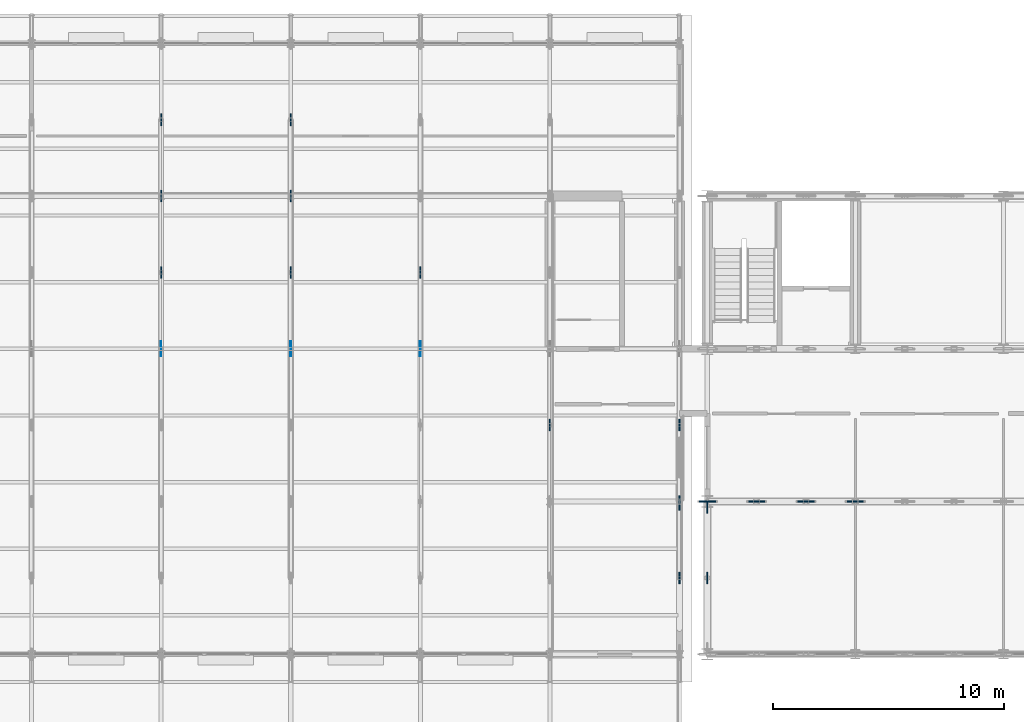
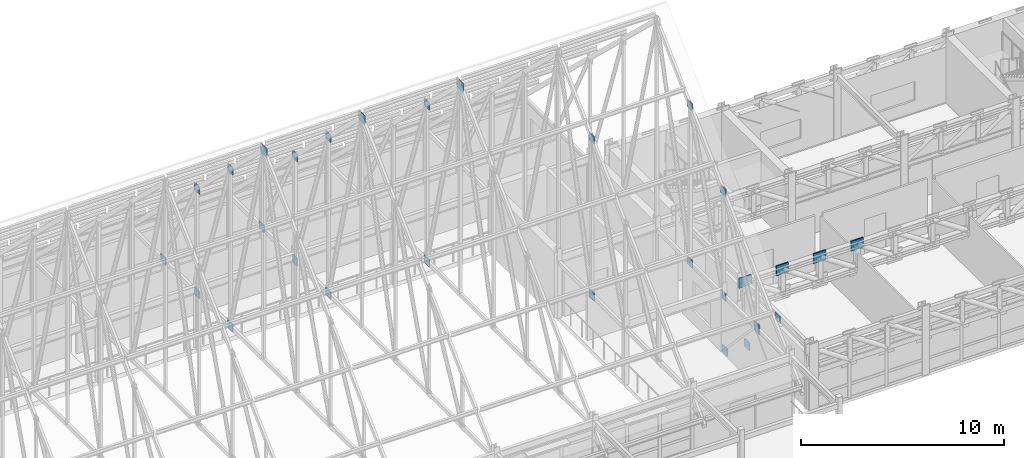
# One storey, part 110 of 144: 30 plates.
"""IFC4 building model written with IfcOpenShell, lengths in metres."""

import ifcopenshell
import ifcopenshell.guid

model = None  # the IFC model being written
_history = None  # IfcOwnerHistory: only IFC2X3 demands one
_inside = {}  # id of a spatial element -> (the spatial element, [elements in it])
_under = {}  # id of a project, library or spatial element -> (it, [spatial elements below it])
_declared = {}  # id of a project -> (the project, [libraries it declares])
_typed = {}  # id of a type object -> (the type object, [elements of that type])
_made_of = {}  # id of a material, layer set ... -> (it, [elements and type objects made of it])


def new_model(schema):
    """Start an empty IFC model of exactly this schema.

    Asked for "IFC4X3", IfcOpenShell would pick the latest addendum, in which some entities
    have other attributes; the version numbers below select the first issue.
    IFC2X3 requires an IfcOwnerHistory on every rooted entity: one is made here for all.
    """
    global model, _history
    if schema == "IFC4X3":
        model = ifcopenshell.file(schema_version=(4, 3, 0, 0))
    else:
        model = ifcopenshell.file(schema=schema)
    _inside.clear()
    _under.clear()
    _declared.clear()
    _typed.clear()
    _made_of.clear()
    _history = None
    if model.schema == "IFC2X3":
        org = make("IfcOrganization", Name="unknown")
        user = make(
            "IfcPersonAndOrganization",
            ThePerson=make("IfcPerson", FamilyName="unknown"),
            TheOrganization=org,
        )
        app = make(
            "IfcApplication",
            ApplicationDeveloper=org,
            Version="unknown",
            ApplicationFullName="unknown",
            ApplicationIdentifier="unknown",
        )
        _history = make(
            "IfcOwnerHistory",
            OwningUser=user,
            OwningApplication=app,
            ChangeAction="ADDED",
            CreationDate=0,
        )
    return model


def make(cls, **values):
    """One entity of the class cls with the attributes given. An attribute that is None is left unset."""
    return model.create_entity(
        cls, **{name: value for name, value in values.items() if value is not None}
    )


def rooted(cls, **values):
    """An entity with a GlobalId (a new one), such as an element, a storey or a relation."""
    return make(cls, GlobalId=ifcopenshell.guid.new(), OwnerHistory=_history, **values)


def si_unit(unit_type, name, prefix=None):
    """IfcSIUnit, for example si_unit("LENGTHUNIT", "METRE", prefix="MILLI")."""
    return make("IfcSIUnit", UnitType=unit_type, Prefix=prefix, Name=name)


def assignment(units):
    """IfcUnitAssignment: the units of a project."""
    return None if units is None else make("IfcUnitAssignment", Units=units)


def point(xyz):
    """IfcCartesianPoint."""
    return None if xyz is None else make("IfcCartesianPoint", Coordinates=xyz)


def direction(xyz):
    """IfcDirection."""
    return None if xyz is None else make("IfcDirection", DirectionRatios=xyz)


def frame(location, z_axis=None, x_axis=None):
    """IfcAxis2Placement3D, a coordinate frame: its origin and axes. An axis left out is left unset."""
    return make(
        "IfcAxis2Placement3D",
        Location=point(location),
        Axis=direction(z_axis),
        RefDirection=direction(x_axis),
    )


def frame_2d(location, x_axis=None):
    """IfcAxis2Placement2D, a coordinate frame in the plane: its origin and x axis."""
    return make(
        "IfcAxis2Placement2D", Location=point(location), RefDirection=direction(x_axis)
    )


def origin():
    """The frame at (0, 0, 0) with its axes left unset."""
    return frame((0.0, 0.0, 0.0))


def origin_2d():
    """The frame at (0, 0) in the plane with its x axis left unset."""
    return frame_2d((0.0, 0.0))


def place(relative_to, where):
    """IfcLocalPlacement: puts the frame where relative to a parent placement (None: the world)."""
    return make(
        "IfcLocalPlacement", PlacementRelTo=relative_to, RelativePlacement=where
    )


def context(
    kind, dimensions, precision=None, world=None, true_north=None, identifier=None
):
    """IfcGeometricRepresentationContext, for example the 3D "Model" context."""
    return make(
        "IfcGeometricRepresentationContext",
        ContextIdentifier=identifier,
        ContextType=kind,
        CoordinateSpaceDimension=dimensions,
        Precision=precision,
        WorldCoordinateSystem=world,
        TrueNorth=true_north,
    )


def subcontext(parent, identifier, kind, view, scale=None):
    """IfcGeometricRepresentationSubContext, for example "Body" below "Model"."""
    return make(
        "IfcGeometricRepresentationSubContext",
        ContextIdentifier=identifier,
        ContextType=kind,
        ParentContext=parent,
        TargetScale=scale,
        TargetView=view,
    )


def project(units=None, contexts=None):
    """IfcProject with its units and contexts."""
    return rooted(
        "IfcProject",
        Name="project",
        RepresentationContexts=contexts,
        UnitsInContext=assignment(units),
    )


def spatial(cls, under=None, at=None, **own):
    """A site, building, storey or space (cls), placed at a placement, below another one or the project."""
    s = rooted(cls, ObjectPlacement=at, **own)
    if under is not None:
        _under.setdefault(under.id(), (under, []))[1].append(s)
    return s


def profile(cls, at=None, kind="AREA", **sizes):
    """A parametric profile (cls). Its sizes go by their IFC names, for example OverallWidth=200.0."""
    return make(cls, ProfileType=kind, Position=at, **sizes)


def rectangle(**sizes):
    """IfcRectangleProfileDef."""
    return profile("IfcRectangleProfileDef", **sizes)


def extrude(swept, where, along, depth):
    """IfcExtrudedAreaSolid: the profile swept, set in the frame where, extruded along a direction by depth."""
    return make(
        "IfcExtrudedAreaSolid",
        SweptArea=swept,
        Position=where,
        ExtrudedDirection=direction(along),
        Depth=depth,
    )


def shape(context_of_items, identifier, shape_type, items):
    """IfcShapeRepresentation: the items that make up one representation, for example the "Body"."""
    return make(
        "IfcShapeRepresentation",
        ContextOfItems=context_of_items,
        RepresentationIdentifier=identifier,
        RepresentationType=shape_type,
        Items=items,
    )


def material(Name=None, Category=None):
    """IfcMaterial."""
    return make("IfcMaterial", Name=Name, Category=Category)


def layer(
    of_material, thickness, ventilated=None, Name=None, Category=None, Priority=None
):
    """IfcMaterialLayer: one layer of a wall or slab, of a material (None: an air gap)."""
    return make(
        "IfcMaterialLayer",
        Material=of_material,
        LayerThickness=thickness,
        IsVentilated=ventilated,
        Name=Name,
        Category=Category,
        Priority=Priority,
    )


def layer_set(layers, Name=None):
    """IfcMaterialLayerSet."""
    return make("IfcMaterialLayerSet", MaterialLayers=layers, LayerSetName=Name)


def made_of(thing, what):
    """Note that an element or type object is made of a material, layer set ...; save() writes the relation."""
    if what is not None:
        _made_of.setdefault(what.id(), (what, []))[1].append(thing)
    return thing


def type_object(cls, material=None, **own):
    """A type object (cls), such as IfcWallType, which elements share."""
    return made_of(rooted(cls, **own), material)


def element(
    cls,
    number,
    at=None,
    inside=None,
    cuts=None,
    type_object=None,
    material=None,
    context=None,
    identifier="Body",
    shape_type=None,
    held_by="IfcProductDefinitionShape",
    body=None,
    shapes=None,
    **own,
):
    """One element of the class cls, such as IfcWall. Its Tag is "e" and its number.

    at: its placement. inside: the storey or other place that contains it. cuts: it is an
    opening in that element (IfcRelVoidsElement). A single representation is given by context,
    identifier, shape_type and body (its items); several are given by shapes. held_by: the class
    of the entity that holds the representations. save() writes the other relations.
    """
    e = rooted(cls, Tag="e%d" % number, ObjectPlacement=at, **own)
    if body is not None:
        shapes = [shape(context, identifier, shape_type, body)]
    if shapes is not None:
        e.Representation = make(held_by, Representations=shapes)
    if inside is not None:
        _inside.setdefault(inside.id(), (inside, []))[1].append(e)
    if cuts is not None:
        rooted(
            "IfcRelVoidsElement", RelatingBuildingElement=cuts, RelatedOpeningElement=e
        )
    if type_object is not None:
        _typed.setdefault(type_object.id(), (type_object, []))[1].append(e)
    return made_of(e, material)


def aggregate(whole, parts):
    """IfcRelAggregates: a whole, such as a stair, and the parts it consists of."""
    return rooted("IfcRelAggregates", RelatingObject=whole, RelatedObjects=parts)


def save(model, path):
    """Write the relations noted so far, then the file.

    IfcRelAggregates (storeys below a building ...), IfcRelContainedInSpatialStructure (elements
    in a storey), IfcRelDefinesByType, IfcRelAssociatesMaterial and IfcRelDeclares: one each for
    every whole, place, type object, material and project.
    """
    for whole, parts in _under.values():
        aggregate(whole, parts)
    for where, things in _inside.values():
        rooted(
            "IfcRelContainedInSpatialStructure",
            RelatedElements=things,
            RelatingStructure=where,
        )
    for kind, things in _typed.values():
        rooted("IfcRelDefinesByType", RelatedObjects=things, RelatingType=kind)
    for what, things in _made_of.values():
        rooted("IfcRelAssociatesMaterial", RelatedObjects=things, RelatingMaterial=what)
    for by, libraries in _declared.values():
        rooted("IfcRelDeclares", RelatingContext=by, RelatedDefinitions=libraries)
    model.write(path)


model = new_model("IFC4")

# Units and contexts
model_context = context("Model", 3, precision=1e-05, world=origin(), true_north=direction((0.0, 1.0)))
body_context = subcontext(model_context, "Body", "Model", "MODEL_VIEW")
ifc_project = project(units=[si_unit("LENGTHUNIT", "METRE"), si_unit("AREAUNIT", "SQUARE_METRE"), si_unit("VOLUMEUNIT", "CUBIC_METRE"), si_unit("PLANEANGLEUNIT", "RADIAN"), si_unit("MASSUNIT", "GRAM", prefix="KILO")], contexts=[model_context])

# Site, building, storey
site_placement = place(None, origin())
site = spatial("IfcSite", under=ifc_project, at=site_placement, CompositionType="ELEMENT")
building_placement = place(site_placement, origin())
building = spatial("IfcBuilding", under=site, at=building_placement, Name="Trelmorton Wharf Fire Station", CompositionType="ELEMENT")
storey_placement = place(building_placement, frame((0.0, 0.0, 5.39990234375)))
storey = spatial("IfcBuildingStorey", under=building, at=storey_placement, Name="L01", CompositionType="ELEMENT", Elevation=5.39990234375)

# Plates
ifc_material = material(Name="Steel Grade 350", Category="steel")
ifc_layer_1 = layer(ifc_material, 0.070068359375)
ifc_layer_set_1 = layer_set([ifc_layer_1], Name="Steel Grade 350")
plate_type_1 = type_object("IfcPlateType", Name="PL_GUSSET_KTN2", PredefinedType="USERDEFINED", material=ifc_layer_set_1)
for number, where, z_axis, x_axis, name in (
    (1, (58.011962890625, 14.39990234375, 3.47998046875), (0.0, 0.0, 1.0), (1.0, 0.0, 0.0), "PL-KTN-0028"),
    (2, (60.13330078125, 14.39990234375, 3.47998046875), (0.0, 0.0, 1.0), (1.0, 0.0, 0.0), "PL-KTN-0030"),
    (3, (62.2666015625, 14.39990234375, 3.47998046875), (0.0, 0.0, 1.0), (1.0, 0.0, 0.0), "PL-KTN-0032"),
    (4, (64.39990234375, 14.39990234375, 3.47998046875), (0.0, 0.0, 1.0), (1.0, 0.0, 0.0), "PL-KTN-0034"),
):
    element("IfcPlate", number, at=place(storey_placement, frame(where, z_axis=z_axis, x_axis=x_axis)), inside=storey, type_object=plate_type_1, Name=name, ObjectType="GUSSET PLATE", PredefinedType="USERDEFINED", context=body_context, shape_type="SweptSolid", body=[
        extrude(rectangle(XDim=0.699951171875, YDim=0.070068359375, at=origin_2d()), origin(), (0.0, 0.0, 1.0), 0.60009765625),
    ])
ifc_layer_2 = layer(ifc_material, 0.030029296875)
ifc_layer_set_2 = layer_set([ifc_layer_2], Name="Steel Grade 350")
plate_type_2 = type_object("IfcPlateType", Name="PL_GUSSET_TN1", PredefinedType="USERDEFINED", material=ifc_layer_set_2)
for number, where, z_axis, x_axis, name in (
    (5, (34.39990234375, 21.0, 15.6767578125), (0.0, 0.0, 1.0), (1.0, 0.0, 0.0), "PL-TN-0185"),
    (6, (40.0, 21.0, 15.6767578125), (0.0, 0.0, 1.0), (1.0, 0.0, 0.0), "PL-TN-0198"),
    (7, (45.60009765625, 21.0, 15.6767578125), (0.0, 0.0, 1.0), (1.0, 0.0, 0.0), "PL-TN-0211"),
):
    element("IfcPlate", number, at=place(storey_placement, frame(where, z_axis=z_axis, x_axis=x_axis)), inside=storey, type_object=plate_type_2, Name=name, ObjectType="GUSSET PLATE", PredefinedType="USERDEFINED", context=body_context, shape_type="SweptSolid", body=[
        extrude(rectangle(XDim=0.030029296875, YDim=0.64990234375, at=origin_2d()), origin(), (0.0, 0.0, 1.0), 0.550048828125),
    ])
ifc_layer_3 = layer(ifc_material, 0.050048828125)
ifc_layer_set_3 = layer_set([ifc_layer_3], Name="Steel Grade 350")
plate_type_3 = type_object("IfcPlateType", Name="PL_GUSSET_TN2", PredefinedType="USERDEFINED", material=ifc_layer_set_3)
for number, where, z_axis, x_axis, name in (
    (8, (34.39990234375, 30.89990234375, 3.126953125), (0.0, 0.0, 1.0), (1.0, 0.0, 0.0), "PL-TN-0191"),
    (9, (34.39990234375, 27.60009765625, 9.4267578125), (0.0, 0.0, 1.0), (1.0, 0.0, 0.0), "PL-TN-0192"),
    (10, (34.39990234375, 27.60009765625, 3.126953125), (0.0, 0.0, 1.0), (1.0, 0.0, 0.0), "PL-TN-0193"),
    (11, (34.39990234375, 24.300048828125, 12.5771484375), (0.0, 0.0, 1.0), (1.0, 0.0, 0.0), "PL-TN-0194"),
    (12, (34.39990234375, 24.300048828125, 3.126953125), (0.0, 0.0, 1.0), (1.0, 0.0, 0.0), "PL-TN-0195"),
    (13, (40.0, 30.89990234375, 3.126953125), (0.0, 0.0, 1.0), (1.0, 0.0, 0.0), "PL-TN-0204"),
    (14, (40.0, 27.60009765625, 9.4267578125), (0.0, 0.0, 1.0), (1.0, 0.0, 0.0), "PL-TN-0205"),
    (15, (40.0, 27.60009765625, 3.126953125), (0.0, 0.0, 1.0), (1.0, 0.0, 0.0), "PL-TN-0206"),
    (16, (40.0, 24.300048828125, 12.5771484375), (0.0, 0.0, 1.0), (1.0, 0.0, 0.0), "PL-TN-0207"),
    (17, (40.0, 24.300048828125, 3.126953125), (0.0, 0.0, 1.0), (1.0, 0.0, 0.0), "PL-TN-0208"),
    (18, (45.60009765625, 24.300048828125, 12.5771484375), (0.0, 0.0, 1.0), (1.0, 0.0, 0.0), "PL-TN-0220"),
    (19, (45.60009765625, 24.300048828125, 3.126953125), (0.0, 0.0, 1.0), (1.0, 0.0, 0.0), "PL-TN-0221"),
    (20, (51.199951171875, 17.699951171875, 12.5771484375), (0.0, 0.0, 1.0), (1.0, 0.0, 0.0), "PL-TN-0228"),
    (21, (51.199951171875, 17.699951171875, 3.126953125), (0.0, 0.0, 1.0), (1.0, 0.0, 0.0), "PL-TN-0229"),
    (22, (56.800048828125, 11.10009765625, 3.126953125), (0.0, 0.0, 1.0), (1.0, 0.0, 0.0), "PL-TN-0238"),
    (23, (56.800048828125, 14.39990234375, 9.4267578125), (0.0, 0.0, 1.0), (1.0, 0.0, 0.0), "PL-TN-0239"),
    (24, (56.800048828125, 14.39990234375, 3.126953125), (0.0, 0.0, 1.0), (1.0, 0.0, 0.0), "PL-TN-0240"),
    (25, (56.800048828125, 17.699951171875, 12.5771484375), (0.0, 0.0, 1.0), (1.0, 0.0, 0.0), "PL-TN-0241"),
    (26, (56.800048828125, 17.699951171875, 3.126953125), (0.0, 0.0, 1.0), (1.0, 0.0, 0.0), "PL-TN-0242"),
    (27, (56.800048828125, 14.27294921875, -0.10498046875), (0.0, 0.0, 1.0), (1.0, 0.0, 0.0), "PL-CBF-0359"),
    (28, (56.800048828125, 11.10009765625, 3.2451171875), (0.0, 0.0, 1.0), (1.0, 0.0, 0.0), "PL-CBF-0360"),
    (29, (58.0, 14.153076171875, -0.10498046875), (0.0, 0.0, 1.0), (1.0, 0.0, 0.0), "PL-CBF-0365"),
    (30, (58.0, 11.10009765625, 3.35498046875), (0.0, 0.0, 1.0), (1.0, 0.0, 0.0), "PL-CBF-0366"),
):
    element("IfcPlate", number, at=place(storey_placement, frame(where, z_axis=z_axis, x_axis=x_axis)), inside=storey, type_object=plate_type_3, Name=name, ObjectType="GUSSET PLATE", PredefinedType="USERDEFINED", context=body_context, shape_type="SweptSolid", body=[
        extrude(rectangle(XDim=0.050048828125, YDim=0.5, at=origin_2d()), origin(), (0.0, 0.0, 1.0), 0.449951171875),
    ])

save(model, "model.ifc")
